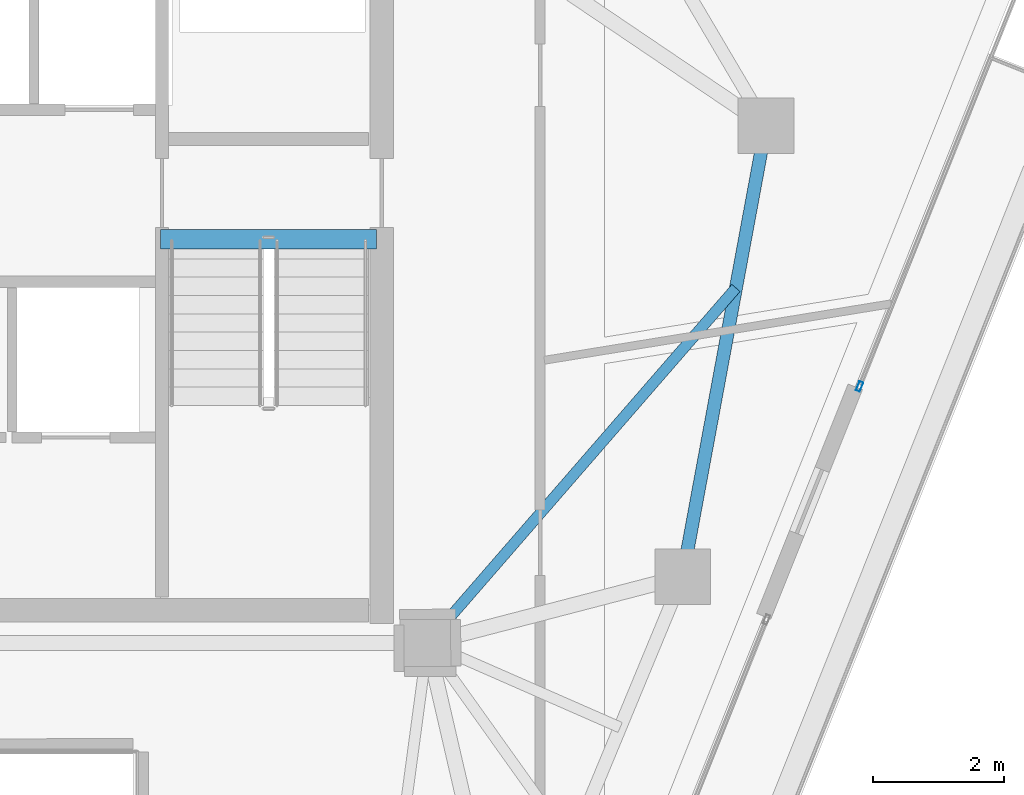
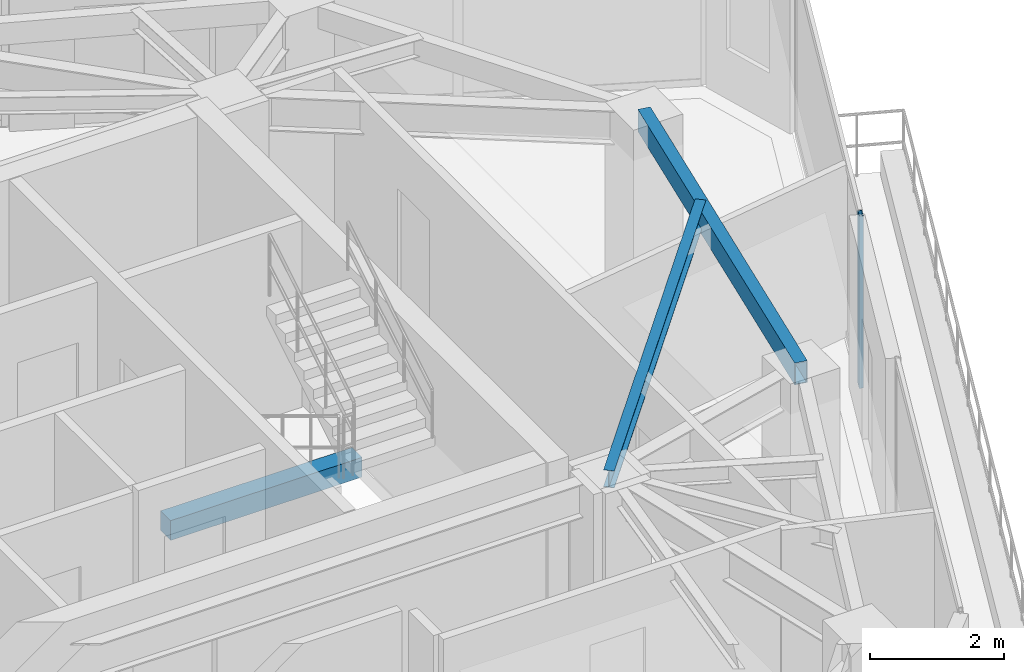
# One storey, part 11 of 21: 3 beams, 1 member, 1 element without a shape of its own.
"""IFC4 building model written with IfcOpenShell, lengths in metres."""

from ifc_helpers import new_model, si_unit, direction, frame, origin, origin_2d, place, context, subcontext, project, spatial, rectangle, hollow_rectangle, i_section, extrude, source, transform, mapped, material, layer, layer_set, material_profile, profile_set, type_object, type_shapes, element, aggregate, save


model = new_model("IFC4")

# Units and contexts
model_context = context("Model", 3, precision=1e-05, world=origin(), true_north=direction((0.0, 1.0)))
body_context = subcontext(model_context, "Body", "Model", "MODEL_VIEW")
ifc_project = project(units=[si_unit("LENGTHUNIT", "METRE"), si_unit("AREAUNIT", "SQUARE_METRE"), si_unit("VOLUMEUNIT", "CUBIC_METRE"), si_unit("PLANEANGLEUNIT", "RADIAN"), si_unit("MASSUNIT", "GRAM", prefix="KILO")], contexts=[model_context])

# Site, building, storey
site_placement = place(None, origin())
site = spatial("IfcSite", under=ifc_project, at=site_placement, CompositionType="ELEMENT")
building_placement = place(site_placement, origin())
building = spatial("IfcBuilding", under=site, at=building_placement, Name="Talar Marvaseh", CompositionType="ELEMENT")
storey_placement = place(building_placement, frame((0.0, 0.0, 271.39990234375)))
storey = spatial("IfcBuildingStorey", under=building, at=storey_placement, Name="L72", CompositionType="ELEMENT", Elevation=271.39990234375)

# Beams
ifc_material_1 = material(Name="Concrete C40/50", Category="concrete")
ifc_material_profile_1 = material_profile(ifc_material_1, rectangle(XDim=0.300048828125, YDim=0.360107421875, at=origin_2d()), Name="RC300x360")
ifc_profile_set_1 = profile_set([ifc_material_profile_1], Name="Concrete C40/50")
beam_type_1 = type_object("IfcBeamType", Name="Concrete Stair Landing Trimmer Beam RC300x360", PredefinedType="SPANDREL", material=ifc_profile_set_1)
beam_1_placement = place(storey_placement, frame((29.219970703125, 31.669921875, -0.179931640625), z_axis=(1.0, 0.0, 0.0), x_axis=(0.0, 1.0, 0.0)))
element("IfcBeam", 1, at=beam_1_placement, inside=storey, type_object=beam_type_1, Name="L72 ST-2 Stair Nosing Trimmer Beam", PredefinedType="SPANDREL", context=body_context, shape_type="SweptSolid", body=[
    extrude(rectangle(XDim=0.300048828125, YDim=0.360107421875, at=origin_2d()), origin(), (0.0, 0.0, 1.0), 3.300048828125),
])
ifc_material_2 = material(Name="Steel S355", Category="steel")
ifc_material_profile_2 = material_profile(ifc_material_2, hollow_rectangle(XDim=0.199951171875, YDim=0.39990234375, WallThickness=0.013916015625, at=origin_2d()), Name="RHS400x200x14")
ifc_profile_set_2 = profile_set([ifc_material_profile_2], Name="Steel S355")
beam_type_2 = type_object("IfcBeamType", Name="Zone 3 Perimeter Spandrel Beam RHS400x200x14", PredefinedType="SPANDREL", material=ifc_profile_set_2)
beam_2_placement = place(storey_placement, frame((38.470947265625, 33.406005859375, 2.940185546875), z_axis=(-0.181759950929, -0.983342931148, 0.0), x_axis=(0.983342931148, -0.181759950929, 0.0)))
element("IfcBeam", 2, at=beam_2_placement, inside=storey, type_object=beam_type_2, Name="L72 Zone 3 Perimeter Spandrel Beam RHS400x200x14", PredefinedType="SPANDREL", context=body_context, shape_type="SweptSolid", body=[
    extrude(hollow_rectangle(XDim=0.199951171875, YDim=0.39990234375, WallThickness=0.013916015625, at=origin_2d()), origin(), (0.0, 0.0, 1.0), 7.0087890625),
])
ifc_material_profile_3 = material_profile(ifc_material_2, i_section(OverallWidth=0.166015625, OverallDepth=0.31298828125, WebThickness=0.006591796875, FlangeThickness=0.01123046875, at=origin_2d()), Name="W310x45")
ifc_profile_set_3 = profile_set([ifc_material_profile_3], Name="Steel S355")
beam_type_3 = type_object("IfcBeamType", Name="Zone 3 Secondary Floor Joist W310x45", PredefinedType="JOIST", material=ifc_profile_set_3)
beam_3_placement = place(storey_placement, frame((38.012451171875, 30.9248046875, 2.983642578125), z_axis=(-0.655796743858, -0.754937501218, 0.0), x_axis=(0.754937501218, -0.655796743858, 0.0)))
element("IfcBeam", 3, at=beam_3_placement, inside=storey, type_object=beam_type_3, Name="L72 Zone 3 Secondary Floor Joist W310x45", PredefinedType="JOIST", context=body_context, shape_type="SweptSolid", body=[
    extrude(i_section(OverallWidth=0.166015625, OverallDepth=0.31298828125, WebThickness=0.006591796875, FlangeThickness=0.01123046875, at=origin_2d()), origin(), (0.0, 0.0, 1.0), 7.185791015625),
])

# Curtain wall, member
ifc_material_3 = material(Name="Architectural Aluminium", Category="aluminium")
ifc_layer = layer(ifc_material_3, 0.179931640625)
ifc_layer_set = layer_set([ifc_layer], Name="Architectural Aluminium")
curtain_wall_type = type_object("IfcCurtainWallType", Name="Unitised High-Wind Sky Curtain Wall Z4", PredefinedType="NOTDEFINED", material=ifc_layer_set)
curtain_wall_placement = place(storey_placement, origin())
curtain_wall = element("IfcCurtainWall", 4, at=curtain_wall_placement, inside=storey, type_object=curtain_wall_type, Name="L72 Unitised High-Wind Sky Curtain Wall Z4", PredefinedType="NOTDEFINED")
ifc_material_profile_4 = material_profile(ifc_material_3, hollow_rectangle(XDim=0.06494140625, YDim=0.14990234375, WallThickness=0.00390625, at=origin_2d()), Name="RHS150x65x4")
ifc_profile_set_4 = profile_set([ifc_material_profile_4], Name="Architectural Aluminium")
member_type = type_object("IfcMemberType", Name="Unitised Curtain Wall Slim Mullion RHS150x65x4", PredefinedType="MULLION", material=ifc_profile_set_4)
shared_shape = source(origin(), body_context, "Body", "SweptSolid", [
    extrude(hollow_rectangle(XDim=0.06494140625, YDim=0.14990234375, WallThickness=0.00390625, at=origin_2d()), origin(), (0.0, 0.0, 1.0), 3.14013671875),
])
type_shapes(member_type, [shared_shape])
member_placement = place(storey_placement, frame((39.90234375, 29.4208984375, 0.0), z_axis=(0.0, 0.0, 1.0), x_axis=(0.928753878354, -0.370696956344, 0.0)))
member = element("IfcMember", 5, at=member_placement, type_object=member_type, Name="CW-Z4 mullion 2", PredefinedType="MULLION", context=body_context, shape_type="MappedRepresentation", body=[
    mapped(shared_shape, transform((0.0, 0.0, 0.0), x_axis=(1.0, 0.0, 0.0), y_axis=(0.0, 1.0, 0.0), z_axis=(0.0, 0.0, 1.0), scale=1.0)),
])
aggregate(curtain_wall, [member])

save(model, "model.ifc")
